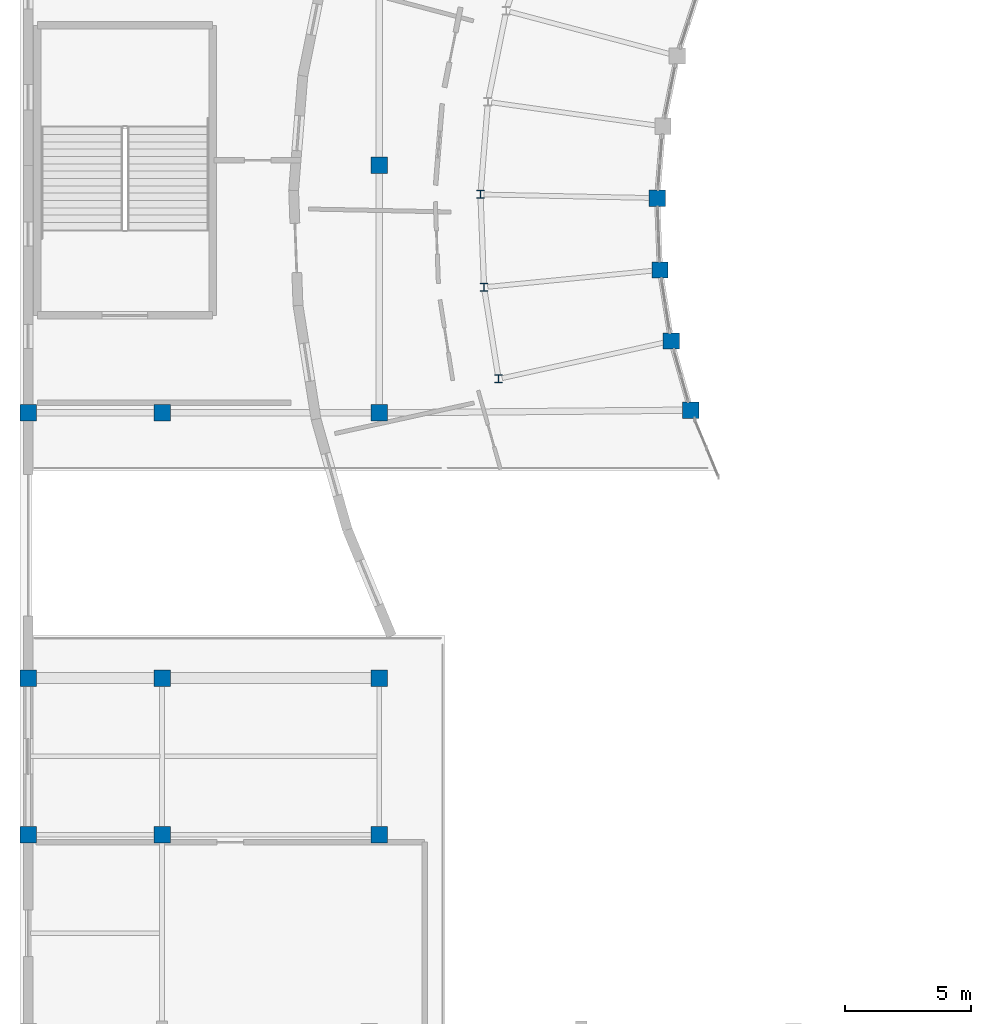
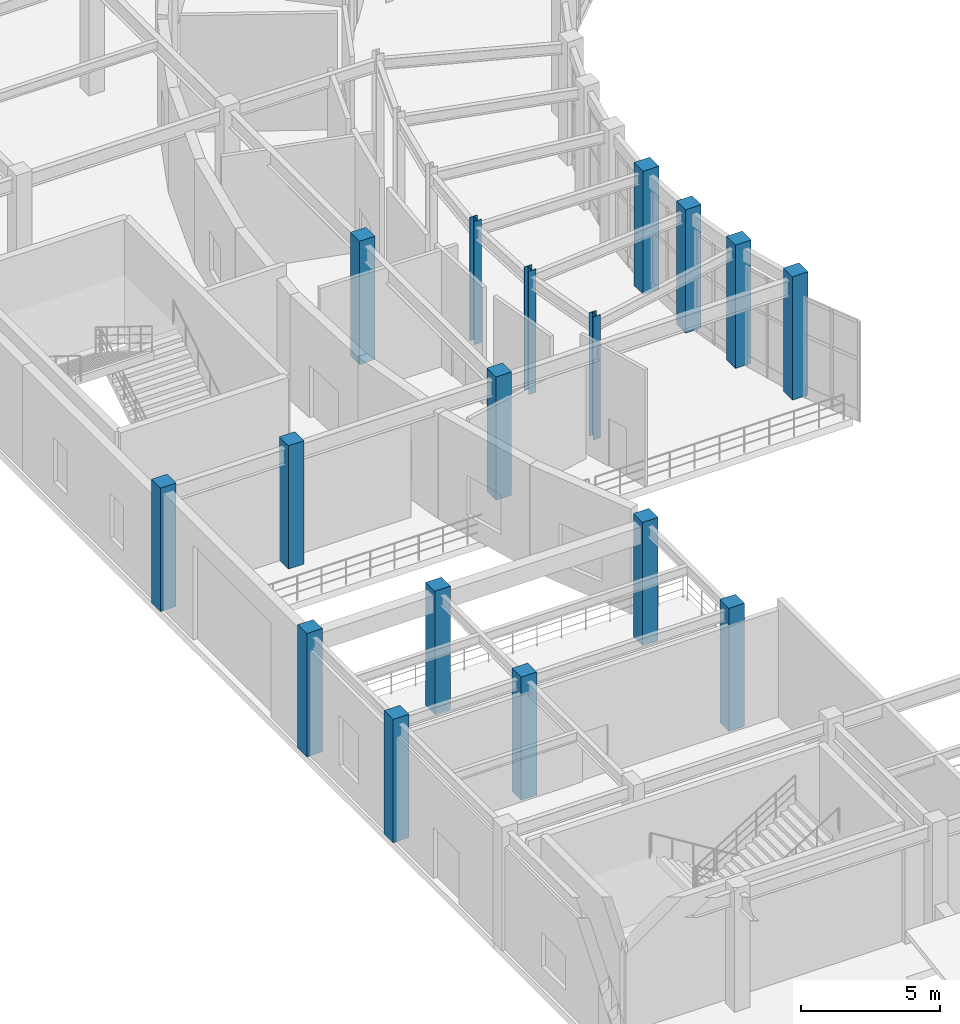
# One storey, part 3 of 93: 17 columns.
"""IFC4 building model written with IfcOpenShell, lengths in metres."""

from ifc_helpers import new_model, si_unit, direction, frame, origin, origin_2d, place, context, subcontext, project, spatial, rectangle, i_section, extrude, material, material_profile, profile_set, type_object, element, save


model = new_model("IFC4")

# Units and contexts
model_context = context("Model", 3, precision=1e-05, world=origin(), true_north=direction((0.0, 1.0)))
body_context = subcontext(model_context, "Body", "Model", "MODEL_VIEW")
ifc_project = project(units=[si_unit("LENGTHUNIT", "METRE"), si_unit("AREAUNIT", "SQUARE_METRE"), si_unit("VOLUMEUNIT", "CUBIC_METRE"), si_unit("PLANEANGLEUNIT", "RADIAN"), si_unit("MASSUNIT", "GRAM", prefix="KILO")], contexts=[model_context])

# Site, building, storey
site_placement = place(None, origin())
site = spatial("IfcSite", under=ifc_project, at=site_placement, CompositionType="ELEMENT")
building_placement = place(site_placement, origin())
building = spatial("IfcBuilding", under=site, at=building_placement, Name="Cinderbank Siding Concert Hall", CompositionType="ELEMENT")
storey_placement = place(building_placement, origin())
storey = spatial("IfcBuildingStorey", under=building, at=storey_placement, Name="L01", CompositionType="ELEMENT", Elevation=0.0)

# Columns
ifc_material_1 = material(Name="Reinforced concrete AS 3600 N50 (50 MPa)", Category="concrete")
ifc_material_profile_1 = material_profile(ifc_material_1, rectangle(XDim=0.64990234375, YDim=0.64990234375, at=origin_2d()), Name="RC-COL-650x650", Category="LoadBearing")
ifc_profile_set_1 = profile_set([ifc_material_profile_1], Name="Reinforced concrete AS 3600 N50 (50 MPa)")
column_type_1 = type_object("IfcColumnType", Name="C-RC650 RC-COL-650x650", PredefinedType="COLUMN", material=ifc_profile_set_1)
for number, where, z_axis, x_axis, name in (
    (1, (32.0048828125, 68.5029296875, 0.0), (0.0, 0.0, 1.0), (1.0, 0.0, 0.0), "L01 Column COL-WIN-12"),
    (2, (32.114013671875, 65.657958984375, 0.0), (0.0, 0.0, 1.0), (1.0, 0.0, 0.0), "L01 Column COL-WIN-13"),
    (3, (32.56005859375, 62.845947265625, 0.0), (0.0, 0.0, 1.0), (1.0, 0.0, 0.0), "L01 Column COL-WIN-14"),
    (4, (33.3349609375, 60.10693359375, 0.0), (0.0, 0.0, 1.0), (1.0, 0.0, 0.0), "L01 Column COL-WIN-15"),
    (5, (7.10009765625, 43.300048828125, 0.0), (0.0, 0.0, 1.0), (1.0, 0.0, 0.0), "L01 Column COL-WL-1-1"),
    (6, (7.10009765625, 49.5, 0.0), (0.0, 0.0, 1.0), (1.0, 0.0, 0.0), "L01 Column COL-WL-1-2"),
    (7, (7.10009765625, 60.0, 0.0), (0.0, 0.0, 1.0), (1.0, 0.0, 0.0), "L01 Column COL-WL-1-3"),
    (8, (12.39990234375, 43.300048828125, 0.0), (0.0, 0.0, 1.0), (1.0, 0.0, 0.0), "L01 Column COL-WL-2-1"),
    (9, (12.39990234375, 49.5, 0.0), (0.0, 0.0, 1.0), (1.0, 0.0, 0.0), "L01 Column COL-WL-2-2"),
    (10, (12.39990234375, 60.0, 0.0), (0.0, 0.0, 1.0), (1.0, 0.0, 0.0), "L01 Column COL-WL-2-3"),
    (11, (21.0, 43.300048828125, 0.0), (0.0, 0.0, 1.0), (1.0, 0.0, 0.0), "L01 Column COL-WL-3-1"),
    (12, (21.0, 49.5, 0.0), (0.0, 0.0, 1.0), (1.0, 0.0, 0.0), "L01 Column COL-WL-3-2"),
    (13, (21.0, 60.0, 0.0), (0.0, 0.0, 1.0), (1.0, 0.0, 0.0), "L01 Column COL-WL-3-3"),
    (14, (21.0, 69.800048828125, 0.0), (0.0, 0.0, 1.0), (1.0, 0.0, 0.0), "L01 Column COL-WL-3-4"),
):
    element("IfcColumn", number, at=place(storey_placement, frame(where, z_axis=z_axis, x_axis=x_axis)), inside=storey, type_object=column_type_1, Name=name, PredefinedType="COLUMN", context=body_context, shape_type="SweptSolid", body=[
        extrude(rectangle(XDim=0.64990234375, YDim=0.64990234375, at=origin_2d()), origin(), (0.0, 0.0, 1.0), 5.39990234375),
    ])
ifc_material_2 = material(Name="Structural steel AS/NZS 3679.1 Grade 350 (340 MPa)", Category="steel")
ifc_material_profile_2 = material_profile(ifc_material_2, i_section(OverallWidth=0.306884765625, OverallDepth=0.314697265625, WebThickness=0.011962890625, FlangeThickness=0.018798828125, at=origin_2d()), Name="310UC118", Category="LoadBearing")
ifc_profile_set_2 = profile_set([ifc_material_profile_2], Name="Structural steel AS/NZS 3679.1 Grade 350 (340 MPa)")
column_type_2 = type_object("IfcColumnType", Name="C-UC310 310UC118", PredefinedType="COLUMN", material=ifc_profile_set_2)
for number, where, z_axis, x_axis, name in (
    (15, (25.007080078125, 68.64892578125, 0.0), (0.0, 0.0, 1.0), (1.0, 0.0, 0.0), "L01 Column COL-WMID-12"),
    (16, (25.722900390625, 61.343017578125, 0.0), (0.0, 0.0, 1.0), (1.0, 0.0, 0.0), "L01 Column COL-WMID-14"),
):
    element("IfcColumn", number, at=place(storey_placement, frame(where, z_axis=z_axis, x_axis=x_axis)), inside=storey, type_object=column_type_2, Name=name, PredefinedType="COLUMN", context=body_context, shape_type="SweptSolid", body=[
        extrude(i_section(OverallWidth=0.306884765625, OverallDepth=0.314697265625, WebThickness=0.011962890625, FlangeThickness=0.018798828125, at=origin_2d()), origin(), (0.0, 0.0, 1.0), 5.39990234375),
    ])
ifc_material_profile_3 = material_profile(ifc_material_2, i_section(OverallWidth=0.31103515625, OverallDepth=0.3271484375, WebThickness=0.015625, FlangeThickness=0.02490234375, at=origin_2d()), Name="310UC158", Category="LoadBearing")
ifc_profile_set_3 = profile_set([ifc_material_profile_3], Name="Structural steel AS/NZS 3679.1 Grade 350 (340 MPa)")
column_type_3 = type_object("IfcColumnType", Name="C-UC310H 310UC158", PredefinedType="COLUMN", material=ifc_profile_set_3)
column_placement = place(storey_placement, frame((25.14794921875, 64.97509765625, 0.0), z_axis=(0.0, 0.0, 1.0), x_axis=(1.0, 0.0, 0.0)))
element("IfcColumn", 17, at=column_placement, inside=storey, type_object=column_type_3, Name="L01 Column COL-WMID-13", PredefinedType="COLUMN", context=body_context, shape_type="SweptSolid", body=[
    extrude(i_section(OverallWidth=0.31103515625, OverallDepth=0.3271484375, WebThickness=0.015625, FlangeThickness=0.02490234375, at=origin_2d()), origin(), (0.0, 0.0, 1.0), 5.39990234375),
])

save(model, "model.ifc")
